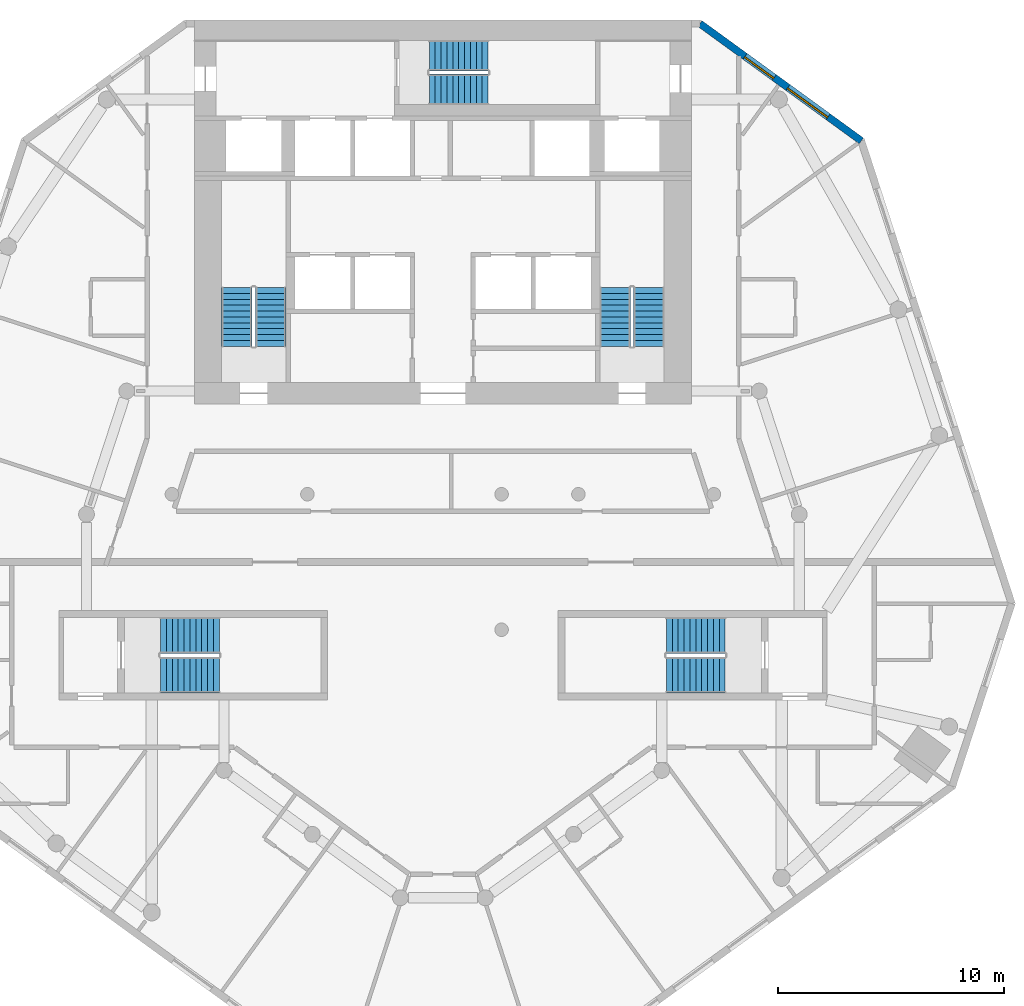
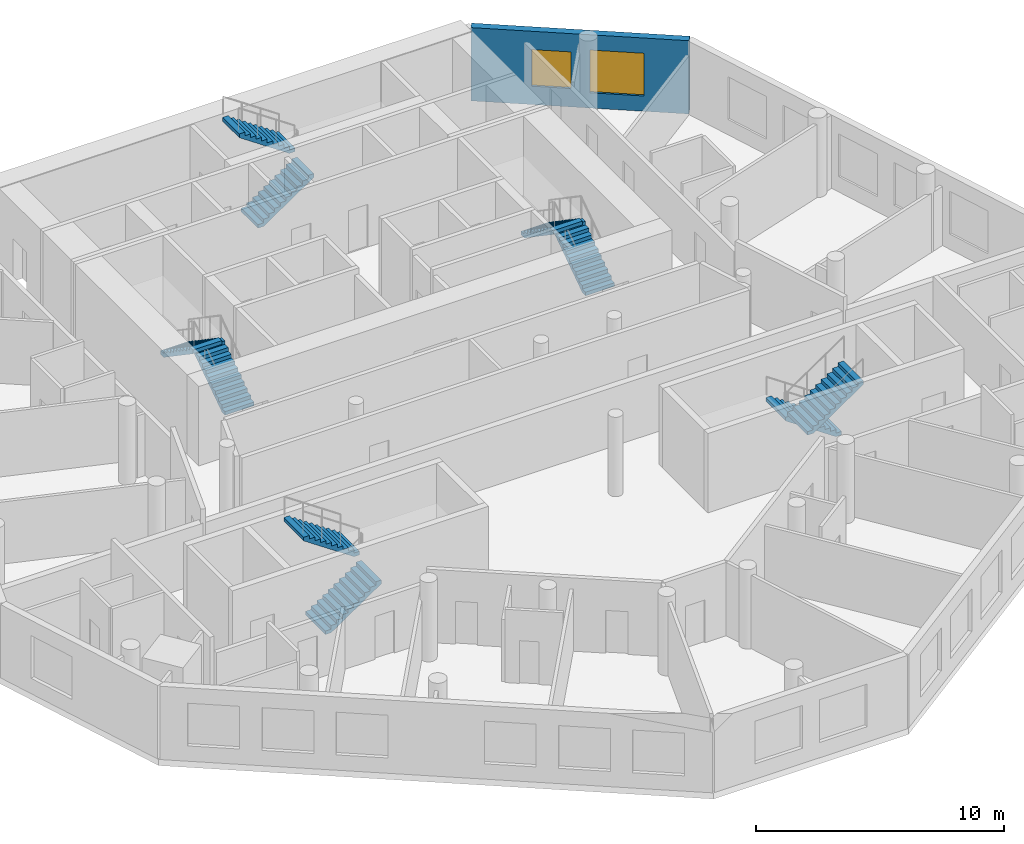
# One storey, part 7 of 9: 10 stair flights, 2 windows, 1 wall, 2 openings, 5 elements without a shape of their own.
"""IFC4 building model written with IfcOpenShell, lengths in metres."""

from ifc_helpers import new_model, si_unit, direction, frame, frame_2d, origin, place, context, subcontext, project, spatial, polyline, rectangle, outline, extrude, material, layer, layer_set, type_object, element, fill, aggregate, save


model = new_model("IFC4")

# Units and contexts
model_context = context("Model", 3, precision=1e-05, world=origin(), true_north=direction((0.0, 1.0)))
body_context = subcontext(model_context, "Body", "Model", "MODEL_VIEW")
ifc_project = project(units=[si_unit("LENGTHUNIT", "METRE"), si_unit("AREAUNIT", "SQUARE_METRE"), si_unit("VOLUMEUNIT", "CUBIC_METRE"), si_unit("PLANEANGLEUNIT", "RADIAN"), si_unit("MASSUNIT", "GRAM", prefix="KILO")], contexts=[model_context])

# Site, building, storey
site_placement = place(None, origin())
site = spatial("IfcSite", under=ifc_project, at=site_placement, CompositionType="ELEMENT")
building_placement = place(site_placement, origin())
building = spatial("IfcBuilding", under=site, at=building_placement, Name="White Candle Pilgrim Tower", CompositionType="ELEMENT")
storey_placement = place(building_placement, frame((0.0, 0.0, 168.10009765625)))
storey = spatial("IfcBuildingStorey", under=building, at=storey_placement, Name="L38", CompositionType="ELEMENT", Elevation=168.10009765625)

# Wall, openings, windows
ifc_material_1 = material(Name="Precast concrete C40/50", Category="concrete")
ifc_layer_1 = layer(ifc_material_1, 0.320068359375)
ifc_layer_set_1 = layer_set([ifc_layer_1], Name="Facade wall EW1 precast concrete C40/50 pier wall with timber-lined reveals")
wall_type = type_object("IfcWallType", Name="Facade wall EW1 precast concrete C40/50 pier wall with timber-lined reveals", PredefinedType="SOLIDWALL", material=ifc_layer_set_1)
wall_placement = place(storey_placement, frame((88.529052734375, 82.649658203125, 0.0), z_axis=(0.0, 0.0, 1.0), x_axis=(-0.809018144148, 0.587783669762, 0.0)))
wall = element("IfcWall", 1, at=wall_placement, inside=storey, type_object=wall_type, Name="Facade wall L38 NE chamfer", PredefinedType="SOLIDWALL", context=body_context, shape_type="SweptSolid", body=[
    extrude(rectangle(XDim=8.83056640625, YDim=0.320068359375, at=frame_2d((4.415283203125, 0.0))), origin(), (0.0, 0.0, 1.0), 3.599853515625),
])
opening_1_placement = place(wall_placement, frame((1.815185546875, 0.0, 0.75)))
opening_1 = element("IfcOpeningElement", 2, at=opening_1_placement, cuts=wall, Name="Opening W4", PredefinedType="OPENING", context=body_context, shape_type="SweptSolid", body=[
    extrude(rectangle(XDim=2.199951171875, YDim=2.10009765625, at=frame_2d((1.10009765625, 1.050048828125))), frame((0.0, 0.169921875, 0.0), z_axis=(0.0, -1.0, 0.0), x_axis=(1.0, 0.0, 0.0)), (0.0, 0.0, 1.0), 0.340087890625),
])
opening_2_placement = place(wall_placement, frame((4.76513671875, 0.0, 0.89990234375)))
opening_2 = element("IfcOpeningElement", 3, at=opening_2_placement, cuts=wall, Name="Opening W2", PredefinedType="OPENING", context=body_context, shape_type="SweptSolid", body=[
    extrude(rectangle(XDim=1.60009765625, YDim=1.800048828125, at=frame_2d((0.800048828125, 0.89990234375))), frame((0.0, 0.169921875, 0.0), z_axis=(0.0, -1.0, 0.0), x_axis=(1.0, 0.0, 0.0)), (0.0, 0.0, 1.0), 0.340087890625),
])
ifc_material_2 = material(Name="Timber frame with triple glazing", Category="wood")
window_type_1 = type_object("IfcWindowType", Name="Window W2 1600x1800 timber frame triple glazing", PartitioningType="SINGLE_PANEL", PredefinedType="WINDOW", material=ifc_material_2)
window_1_placement = place(opening_2_placement, origin())
window_1 = element("IfcWindow", 4, at=window_1_placement, inside=storey, type_object=window_type_1, Name="Window W2 L38 NE chamfer 2", OverallHeight=1.800048828125, OverallWidth=1.60009765625, PartitioningType="SINGLE_PANEL", PredefinedType="WINDOW", context=body_context, shape_type="SweptSolid", body=[
    extrude(rectangle(XDim=1.60009765625, YDim=1.800048828125, at=frame_2d((0.800048828125, 0.89990234375))), frame((0.0, 0.070068359375, 0.0), z_axis=(0.0, -1.0, 0.0), x_axis=(1.0, 0.0, 0.0)), (0.0, 0.0, 1.0), 0.06005859375),
])
fill(opening_2, window_1)
window_type_2 = type_object("IfcWindowType", Name="Window W4 2200x2100 timber frame triple glazing", PartitioningType="SINGLE_PANEL", PredefinedType="WINDOW", material=ifc_material_2)
window_2_placement = place(opening_1_placement, origin())
window_2 = element("IfcWindow", 5, at=window_2_placement, inside=storey, type_object=window_type_2, Name="Window W4 L38 NE chamfer 1", OverallHeight=2.10009765625, OverallWidth=2.199951171875, PartitioningType="SINGLE_PANEL", PredefinedType="WINDOW", context=body_context, shape_type="SweptSolid", body=[
    extrude(rectangle(XDim=2.199951171875, YDim=2.10009765625, at=frame_2d((1.10009765625, 1.050048828125))), frame((0.0, 0.070068359375, 0.0), z_axis=(0.0, -1.0, 0.0), x_axis=(1.0, 0.0, 0.0)), (0.0, 0.0, 1.0), 0.06005859375),
])
fill(opening_1, window_2)

# Stair, stair flights
ifc_material_3 = material(Name="Concrete C40/50", Category="concrete")
stair_type_1 = type_object("IfcStairType", Name="Exit stair 1 flight width 1350 mm", PredefinedType="HALF_TURN_STAIR", material=ifc_material_3)
stair_1_placement = place(storey_placement, origin())
stair_1 = element("IfcStair", 6, at=stair_1_placement, inside=storey, type_object=stair_type_1, Name="L38 stair 1", PredefinedType="NOTDEFINED")
ifc_layer_2 = layer(ifc_material_3, 0.14990234375)
ifc_layer_set_2 = layer_set([ifc_layer_2], Name="Stair flight Concrete C40/50")
stair_flight_type = type_object("IfcStairFlightType", Name="Stair flight Concrete C40/50", PredefinedType="STRAIGHT", material=ifc_layer_set_2)
stair_flight_1_placement = place(storey_placement, frame((62.375, 73.550048828125, 0.0), z_axis=(0.0, 0.0, 1.0), x_axis=(0.0, 1.0, 0.0)))
stair_flight_1 = element("IfcStairFlight", 7, at=stair_flight_1_placement, type_object=stair_flight_type, Name="ST1 flight 1", NumberOfRisers=11, NumberOfTreads=10, PredefinedType="NOTDEFINED", RiserHeight=0.177272727, TreadLength=0.26, context=body_context, shape_type="SweptSolid", body=[
    extrude(outline(polyline([(0.0, 0.0), (0.0, 0.17724609375), (0.260009765625, 0.17724609375), (0.260009765625, 0.3544921875), (0.52001953125, 0.3544921875), (0.52001953125, 0.53173828125), (0.780029296875, 0.53173828125), (0.780029296875, 0.708984375), (1.0400390625, 0.708984375), (1.0400390625, 0.886474609375), (1.300048828125, 0.886474609375), (1.300048828125, 1.063720703125), (1.56005859375, 1.063720703125), (1.56005859375, 1.240966796875), (1.820068359375, 1.240966796875), (1.820068359375, 1.418212890625), (2.080078125, 1.418212890625), (2.080078125, 1.595458984375), (2.340087890625, 1.595458984375), (2.340087890625, 1.772705078125), (2.60009765625, 1.772705078125), (2.60009765625, 1.949951171875), (2.60009765625, 1.59130859375), (0.26611328125, 0.0), (0.0, 0.0)])), frame((0.0, 0.675048828125, 0.0), z_axis=(0.0, -1.0, 0.0), x_axis=(1.0, 0.0, 0.0)), (0.0, 0.0, 1.0), 1.35009765625),
])
stair_flight_2_placement = place(storey_placement, frame((60.875, 76.14990234375, 1.949951171875), z_axis=(0.0, 0.0, 1.0), x_axis=(0.0, -1.0, 0.0)))
stair_flight_2 = element("IfcStairFlight", 8, at=stair_flight_2_placement, type_object=stair_flight_type, Name="ST1 flight 2", NumberOfRisers=11, NumberOfTreads=10, PredefinedType="NOTDEFINED", RiserHeight=0.177272727, TreadLength=0.26, context=body_context, shape_type="SweptSolid", body=[
    extrude(outline(polyline([(0.0, 0.0), (0.0, 0.17724609375), (0.260009765625, 0.17724609375), (0.260009765625, 0.3544921875), (0.52001953125, 0.3544921875), (0.52001953125, 0.53173828125), (0.780029296875, 0.53173828125), (0.780029296875, 0.708984375), (1.0400390625, 0.708984375), (1.0400390625, 0.886474609375), (1.300048828125, 0.886474609375), (1.300048828125, 1.063720703125), (1.56005859375, 1.063720703125), (1.56005859375, 1.240966796875), (1.820068359375, 1.240966796875), (1.820068359375, 1.418212890625), (2.080078125, 1.418212890625), (2.080078125, 1.595458984375), (2.340087890625, 1.595458984375), (2.340087890625, 1.772705078125), (2.60009765625, 1.772705078125), (2.60009765625, 1.949951171875), (2.60009765625, 1.59130859375), (0.26611328125, 0.0), (0.0, 0.0)])), frame((0.0, 0.675048828125, 0.0), z_axis=(0.0, -1.0, 0.0), x_axis=(1.0, 0.0, 0.0)), (0.0, 0.0, 1.0), 1.35009765625),
])
aggregate(stair_1, [stair_flight_1, stair_flight_2])

stair_type_2 = type_object("IfcStairType", Name="Exit stair 2 flight width 1350 mm", PredefinedType="HALF_TURN_STAIR", material=ifc_material_3)
stair_2_placement = place(storey_placement, origin())
stair_2 = element("IfcStair", 9, at=stair_2_placement, inside=storey, type_object=stair_type_2, Name="L38 stair 2", PredefinedType="NOTDEFINED")
stair_flight_3_placement = place(storey_placement, frame((79.125, 73.550048828125, 0.0), z_axis=(0.0, 0.0, 1.0), x_axis=(0.0, 1.0, 0.0)))
stair_flight_3 = element("IfcStairFlight", 10, at=stair_flight_3_placement, type_object=stair_flight_type, Name="ST2 flight 1", NumberOfRisers=11, NumberOfTreads=10, PredefinedType="NOTDEFINED", RiserHeight=0.177272727, TreadLength=0.26, context=body_context, shape_type="SweptSolid", body=[
    extrude(outline(polyline([(0.0, 0.0), (0.0, 0.17724609375), (0.260009765625, 0.17724609375), (0.260009765625, 0.3544921875), (0.52001953125, 0.3544921875), (0.52001953125, 0.53173828125), (0.780029296875, 0.53173828125), (0.780029296875, 0.708984375), (1.0400390625, 0.708984375), (1.0400390625, 0.886474609375), (1.300048828125, 0.886474609375), (1.300048828125, 1.063720703125), (1.56005859375, 1.063720703125), (1.56005859375, 1.240966796875), (1.820068359375, 1.240966796875), (1.820068359375, 1.418212890625), (2.080078125, 1.418212890625), (2.080078125, 1.595458984375), (2.340087890625, 1.595458984375), (2.340087890625, 1.772705078125), (2.60009765625, 1.772705078125), (2.60009765625, 1.949951171875), (2.60009765625, 1.59130859375), (0.26611328125, 0.0), (0.0, 0.0)])), frame((0.0, 0.675048828125, 0.0), z_axis=(0.0, -1.0, 0.0), x_axis=(1.0, 0.0, 0.0)), (0.0, 0.0, 1.0), 1.35009765625),
])
stair_flight_4_placement = place(storey_placement, frame((77.625, 76.14990234375, 1.949951171875), z_axis=(0.0, 0.0, 1.0), x_axis=(0.0, -1.0, 0.0)))
stair_flight_4 = element("IfcStairFlight", 11, at=stair_flight_4_placement, type_object=stair_flight_type, Name="ST2 flight 2", NumberOfRisers=11, NumberOfTreads=10, PredefinedType="NOTDEFINED", RiserHeight=0.177272727, TreadLength=0.26, context=body_context, shape_type="SweptSolid", body=[
    extrude(outline(polyline([(0.0, 0.0), (0.0, 0.17724609375), (0.260009765625, 0.17724609375), (0.260009765625, 0.3544921875), (0.52001953125, 0.3544921875), (0.52001953125, 0.53173828125), (0.780029296875, 0.53173828125), (0.780029296875, 0.708984375), (1.0400390625, 0.708984375), (1.0400390625, 0.886474609375), (1.300048828125, 0.886474609375), (1.300048828125, 1.063720703125), (1.56005859375, 1.063720703125), (1.56005859375, 1.240966796875), (1.820068359375, 1.240966796875), (1.820068359375, 1.418212890625), (2.080078125, 1.418212890625), (2.080078125, 1.595458984375), (2.340087890625, 1.595458984375), (2.340087890625, 1.772705078125), (2.60009765625, 1.772705078125), (2.60009765625, 1.949951171875), (2.60009765625, 1.59130859375), (0.26611328125, 0.0), (0.0, 0.0)])), frame((0.0, 0.675048828125, 0.0), z_axis=(0.0, -1.0, 0.0), x_axis=(1.0, 0.0, 0.0)), (0.0, 0.0, 1.0), 1.35009765625),
])
aggregate(stair_2, [stair_flight_3, stair_flight_4])

stair_type_3 = type_object("IfcStairType", Name="Exit stair 3 flight width 1350 mm", PredefinedType="HALF_TURN_STAIR", material=ifc_material_3)
stair_3_placement = place(storey_placement, origin())
stair_3 = element("IfcStair", 12, at=stair_3_placement, inside=storey, type_object=stair_type_3, Name="L38 stair 3", PredefinedType="NOTDEFINED")
stair_flight_5_placement = place(storey_placement, frame((69.39990234375, 84.925048828125, 0.0), z_axis=(0.0, 0.0, 1.0), x_axis=(1.0, 0.0, 0.0)))
stair_flight_5 = element("IfcStairFlight", 13, at=stair_flight_5_placement, type_object=stair_flight_type, Name="ST3 flight 1", NumberOfRisers=11, NumberOfTreads=10, PredefinedType="NOTDEFINED", RiserHeight=0.177272727, TreadLength=0.26, context=body_context, shape_type="SweptSolid", body=[
    extrude(outline(polyline([(0.0, 0.0), (0.0, 0.17724609375), (0.260009765625, 0.17724609375), (0.260009765625, 0.3544921875), (0.52001953125, 0.3544921875), (0.52001953125, 0.53173828125), (0.780029296875, 0.53173828125), (0.780029296875, 0.708984375), (1.0400390625, 0.708984375), (1.0400390625, 0.886474609375), (1.300048828125, 0.886474609375), (1.300048828125, 1.063720703125), (1.56005859375, 1.063720703125), (1.56005859375, 1.240966796875), (1.820068359375, 1.240966796875), (1.820068359375, 1.418212890625), (2.080078125, 1.418212890625), (2.080078125, 1.595458984375), (2.340087890625, 1.595458984375), (2.340087890625, 1.772705078125), (2.60009765625, 1.772705078125), (2.60009765625, 1.949951171875), (2.60009765625, 1.59130859375), (0.26611328125, 0.0), (0.0, 0.0)])), frame((0.0, 0.675048828125, 0.0), z_axis=(0.0, -1.0, 0.0), x_axis=(1.0, 0.0, 0.0)), (0.0, 0.0, 1.0), 1.35009765625),
])
stair_flight_6_placement = place(storey_placement, frame((72.0, 86.425048828125, 1.949951171875), z_axis=(0.0, 0.0, 1.0), x_axis=(-1.0, 0.0, 0.0)))
stair_flight_6 = element("IfcStairFlight", 14, at=stair_flight_6_placement, type_object=stair_flight_type, Name="ST3 flight 2", NumberOfRisers=11, NumberOfTreads=10, PredefinedType="NOTDEFINED", RiserHeight=0.177272727, TreadLength=0.26, context=body_context, shape_type="SweptSolid", body=[
    extrude(outline(polyline([(0.0, 0.0), (0.0, 0.17724609375), (0.260009765625, 0.17724609375), (0.260009765625, 0.3544921875), (0.52001953125, 0.3544921875), (0.52001953125, 0.53173828125), (0.780029296875, 0.53173828125), (0.780029296875, 0.708984375), (1.0400390625, 0.708984375), (1.0400390625, 0.886474609375), (1.300048828125, 0.886474609375), (1.300048828125, 1.063720703125), (1.56005859375, 1.063720703125), (1.56005859375, 1.240966796875), (1.820068359375, 1.240966796875), (1.820068359375, 1.418212890625), (2.080078125, 1.418212890625), (2.080078125, 1.595458984375), (2.340087890625, 1.595458984375), (2.340087890625, 1.772705078125), (2.60009765625, 1.772705078125), (2.60009765625, 1.949951171875), (2.60009765625, 1.59130859375), (0.26611328125, 0.0), (0.0, 0.0)])), frame((0.0, 0.675048828125, 0.0), z_axis=(0.0, -1.0, 0.0), x_axis=(1.0, 0.0, 0.0)), (0.0, 0.0, 1.0), 1.35009765625),
])
aggregate(stair_3, [stair_flight_5, stair_flight_6])

stair_type_4 = type_object("IfcStairType", Name="Exit stair 4 flight width 1600 mm", PredefinedType="HALF_TURN_STAIR", material=ifc_material_3)
stair_4_placement = place(storey_placement, origin())
stair_4 = element("IfcStair", 15, at=stair_4_placement, inside=storey, type_object=stair_type_4, Name="L38 stair 4", PredefinedType="NOTDEFINED")
stair_flight_7_placement = place(storey_placement, frame((82.5, 60.75, 0.0), z_axis=(0.0, 0.0, 1.0), x_axis=(-1.0, 0.0, 0.0)))
stair_flight_7 = element("IfcStairFlight", 16, at=stair_flight_7_placement, type_object=stair_flight_type, Name="ST4 flight 1", NumberOfRisers=11, NumberOfTreads=10, PredefinedType="NOTDEFINED", RiserHeight=0.177272727, TreadLength=0.26, context=body_context, shape_type="SweptSolid", body=[
    extrude(outline(polyline([(0.0, 0.0), (0.0, 0.17724609375), (0.260009765625, 0.17724609375), (0.260009765625, 0.3544921875), (0.52001953125, 0.3544921875), (0.52001953125, 0.53173828125), (0.780029296875, 0.53173828125), (0.780029296875, 0.708984375), (1.0400390625, 0.708984375), (1.0400390625, 0.886474609375), (1.300048828125, 0.886474609375), (1.300048828125, 1.063720703125), (1.56005859375, 1.063720703125), (1.56005859375, 1.240966796875), (1.820068359375, 1.240966796875), (1.820068359375, 1.418212890625), (2.080078125, 1.418212890625), (2.080078125, 1.595458984375), (2.340087890625, 1.595458984375), (2.340087890625, 1.772705078125), (2.60009765625, 1.772705078125), (2.60009765625, 1.949951171875), (2.60009765625, 1.59130859375), (0.26611328125, 0.0), (0.0, 0.0)])), frame((0.0, 0.800048828125, 0.0), z_axis=(0.0, -1.0, 0.0), x_axis=(1.0, 0.0, 0.0)), (0.0, 0.0, 1.0), 1.60009765625),
])
stair_flight_8_placement = place(storey_placement, frame((79.89990234375, 59.0, 1.949951171875), z_axis=(0.0, 0.0, 1.0), x_axis=(1.0, 0.0, 0.0)))
stair_flight_8 = element("IfcStairFlight", 17, at=stair_flight_8_placement, type_object=stair_flight_type, Name="ST4 flight 2", NumberOfRisers=11, NumberOfTreads=10, PredefinedType="NOTDEFINED", RiserHeight=0.177272727, TreadLength=0.26, context=body_context, shape_type="SweptSolid", body=[
    extrude(outline(polyline([(0.0, 0.0), (0.0, 0.17724609375), (0.260009765625, 0.17724609375), (0.260009765625, 0.3544921875), (0.52001953125, 0.3544921875), (0.52001953125, 0.53173828125), (0.780029296875, 0.53173828125), (0.780029296875, 0.708984375), (1.0400390625, 0.708984375), (1.0400390625, 0.886474609375), (1.300048828125, 0.886474609375), (1.300048828125, 1.063720703125), (1.56005859375, 1.063720703125), (1.56005859375, 1.240966796875), (1.820068359375, 1.240966796875), (1.820068359375, 1.418212890625), (2.080078125, 1.418212890625), (2.080078125, 1.595458984375), (2.340087890625, 1.595458984375), (2.340087890625, 1.772705078125), (2.60009765625, 1.772705078125), (2.60009765625, 1.949951171875), (2.60009765625, 1.59130859375), (0.26611328125, 0.0), (0.0, 0.0)])), frame((0.0, 0.800048828125, 0.0), z_axis=(0.0, -1.0, 0.0), x_axis=(1.0, 0.0, 0.0)), (0.0, 0.0, 1.0), 1.60009765625),
])
aggregate(stair_4, [stair_flight_7, stair_flight_8])

stair_type_5 = type_object("IfcStairType", Name="Exit stair 5 flight width 1600 mm", PredefinedType="HALF_TURN_STAIR", material=ifc_material_3)
stair_5_placement = place(storey_placement, origin())
stair_5 = element("IfcStair", 18, at=stair_5_placement, inside=storey, type_object=stair_type_5, Name="L38 stair 5", PredefinedType="NOTDEFINED")
stair_flight_9_placement = place(storey_placement, frame((57.5, 59.0, 0.0), z_axis=(0.0, 0.0, 1.0), x_axis=(1.0, 0.0, 0.0)))
stair_flight_9 = element("IfcStairFlight", 19, at=stair_flight_9_placement, type_object=stair_flight_type, Name="ST5 flight 1", NumberOfRisers=11, NumberOfTreads=10, PredefinedType="NOTDEFINED", RiserHeight=0.177272727, TreadLength=0.26, context=body_context, shape_type="SweptSolid", body=[
    extrude(outline(polyline([(0.0, 0.0), (0.0, 0.17724609375), (0.260009765625, 0.17724609375), (0.260009765625, 0.3544921875), (0.52001953125, 0.3544921875), (0.52001953125, 0.53173828125), (0.780029296875, 0.53173828125), (0.780029296875, 0.708984375), (1.0400390625, 0.708984375), (1.0400390625, 0.886474609375), (1.300048828125, 0.886474609375), (1.300048828125, 1.063720703125), (1.56005859375, 1.063720703125), (1.56005859375, 1.240966796875), (1.820068359375, 1.240966796875), (1.820068359375, 1.418212890625), (2.080078125, 1.418212890625), (2.080078125, 1.595458984375), (2.340087890625, 1.595458984375), (2.340087890625, 1.772705078125), (2.60009765625, 1.772705078125), (2.60009765625, 1.949951171875), (2.60009765625, 1.59130859375), (0.26611328125, 0.0), (0.0, 0.0)])), frame((0.0, 0.800048828125, 0.0), z_axis=(0.0, -1.0, 0.0), x_axis=(1.0, 0.0, 0.0)), (0.0, 0.0, 1.0), 1.60009765625),
])
stair_flight_10_placement = place(storey_placement, frame((60.10009765625, 60.75, 1.949951171875), z_axis=(0.0, 0.0, 1.0), x_axis=(-1.0, 0.0, 0.0)))
stair_flight_10 = element("IfcStairFlight", 20, at=stair_flight_10_placement, type_object=stair_flight_type, Name="ST5 flight 2", NumberOfRisers=11, NumberOfTreads=10, PredefinedType="NOTDEFINED", RiserHeight=0.177272727, TreadLength=0.26, context=body_context, shape_type="SweptSolid", body=[
    extrude(outline(polyline([(0.0, 0.0), (0.0, 0.17724609375), (0.260009765625, 0.17724609375), (0.260009765625, 0.3544921875), (0.52001953125, 0.3544921875), (0.52001953125, 0.53173828125), (0.780029296875, 0.53173828125), (0.780029296875, 0.708984375), (1.0400390625, 0.708984375), (1.0400390625, 0.886474609375), (1.300048828125, 0.886474609375), (1.300048828125, 1.063720703125), (1.56005859375, 1.063720703125), (1.56005859375, 1.240966796875), (1.820068359375, 1.240966796875), (1.820068359375, 1.418212890625), (2.080078125, 1.418212890625), (2.080078125, 1.595458984375), (2.340087890625, 1.595458984375), (2.340087890625, 1.772705078125), (2.60009765625, 1.772705078125), (2.60009765625, 1.949951171875), (2.60009765625, 1.59130859375), (0.26611328125, 0.0), (0.0, 0.0)])), frame((0.0, 0.800048828125, 0.0), z_axis=(0.0, -1.0, 0.0), x_axis=(1.0, 0.0, 0.0)), (0.0, 0.0, 1.0), 1.60009765625),
])
aggregate(stair_5, [stair_flight_9, stair_flight_10])

save(model, "model.ifc")
